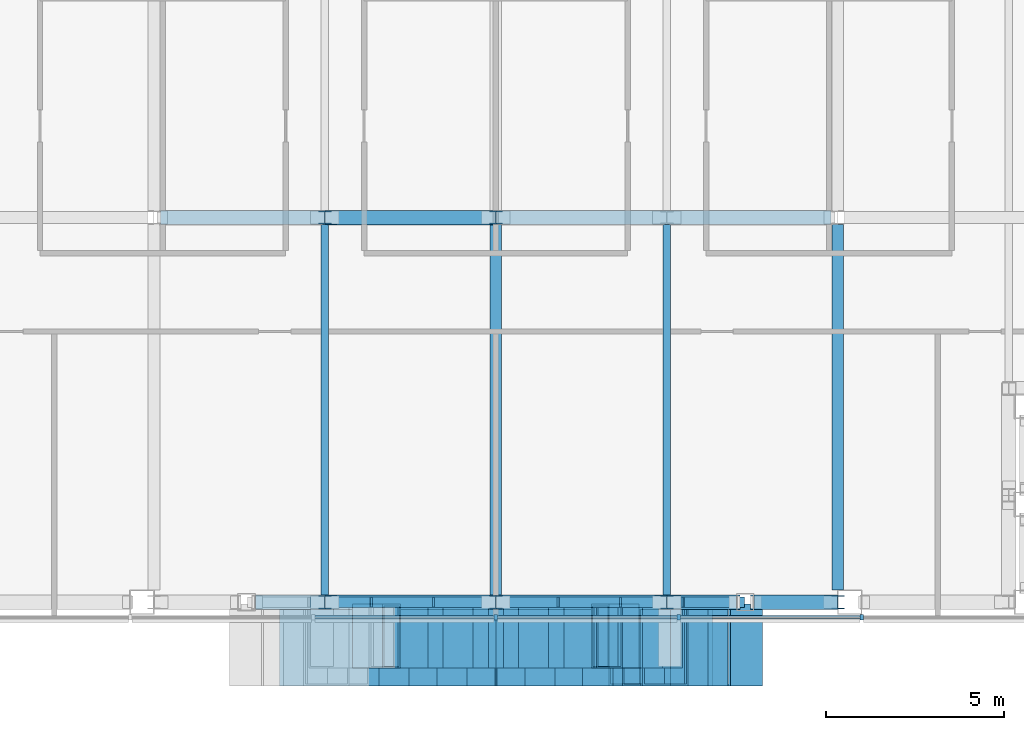
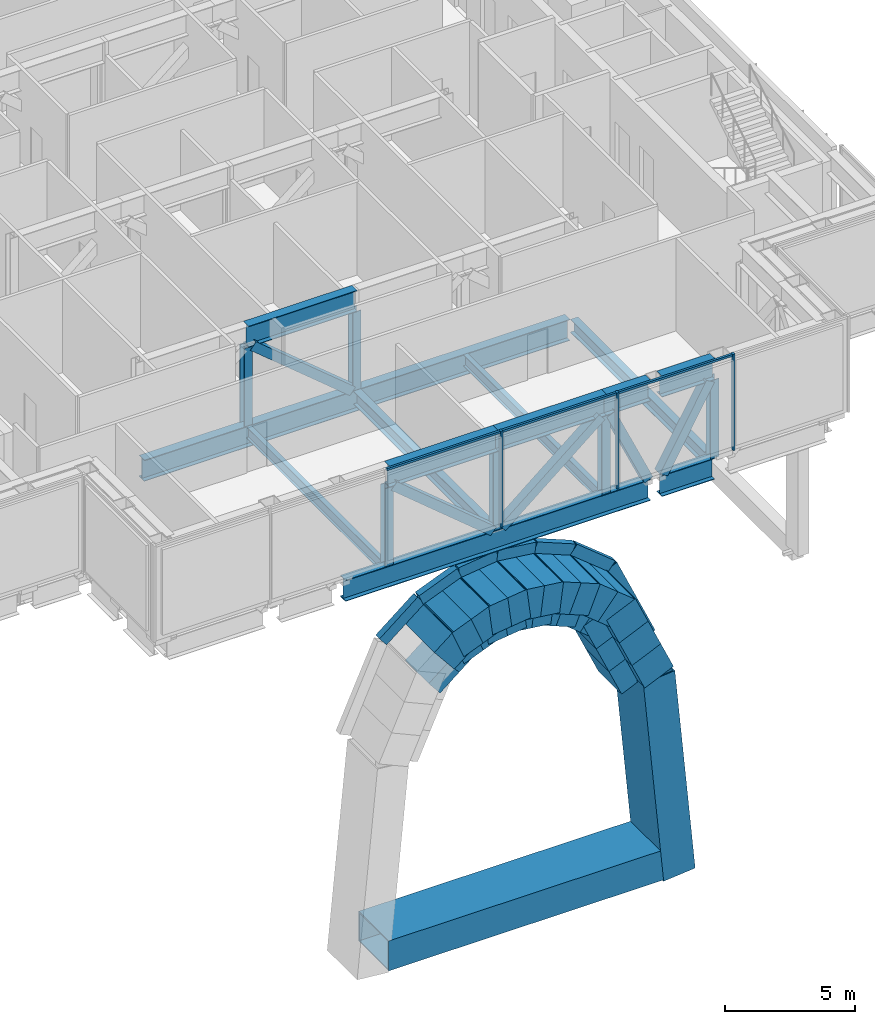
# One storey, part 4 of 26: 56 members, 11 beams, 1 element without a shape of its own.
"""IFC4 building model written with IfcOpenShell, lengths in metres."""

import ifcopenshell
import ifcopenshell.guid

model = None  # the IFC model being written
_history = None  # IfcOwnerHistory: only IFC2X3 demands one
_inside = {}  # id of a spatial element -> (the spatial element, [elements in it])
_under = {}  # id of a project, library or spatial element -> (it, [spatial elements below it])
_declared = {}  # id of a project -> (the project, [libraries it declares])
_typed = {}  # id of a type object -> (the type object, [elements of that type])
_made_of = {}  # id of a material, layer set ... -> (it, [elements and type objects made of it])


def new_model(schema):
    """Start an empty IFC model of exactly this schema.

    Asked for "IFC4X3", IfcOpenShell would pick the latest addendum, in which some entities
    have other attributes; the version numbers below select the first issue.
    IFC2X3 requires an IfcOwnerHistory on every rooted entity: one is made here for all.
    """
    global model, _history
    if schema == "IFC4X3":
        model = ifcopenshell.file(schema_version=(4, 3, 0, 0))
    else:
        model = ifcopenshell.file(schema=schema)
    _inside.clear()
    _under.clear()
    _declared.clear()
    _typed.clear()
    _made_of.clear()
    _history = None
    if model.schema == "IFC2X3":
        org = make("IfcOrganization", Name="unknown")
        user = make(
            "IfcPersonAndOrganization",
            ThePerson=make("IfcPerson", FamilyName="unknown"),
            TheOrganization=org,
        )
        app = make(
            "IfcApplication",
            ApplicationDeveloper=org,
            Version="unknown",
            ApplicationFullName="unknown",
            ApplicationIdentifier="unknown",
        )
        _history = make(
            "IfcOwnerHistory",
            OwningUser=user,
            OwningApplication=app,
            ChangeAction="ADDED",
            CreationDate=0,
        )
    return model


def make(cls, **values):
    """One entity of the class cls with the attributes given. An attribute that is None is left unset."""
    return model.create_entity(
        cls, **{name: value for name, value in values.items() if value is not None}
    )


def rooted(cls, **values):
    """An entity with a GlobalId (a new one), such as an element, a storey or a relation."""
    return make(cls, GlobalId=ifcopenshell.guid.new(), OwnerHistory=_history, **values)


def si_unit(unit_type, name, prefix=None):
    """IfcSIUnit, for example si_unit("LENGTHUNIT", "METRE", prefix="MILLI")."""
    return make("IfcSIUnit", UnitType=unit_type, Prefix=prefix, Name=name)


def assignment(units):
    """IfcUnitAssignment: the units of a project."""
    return None if units is None else make("IfcUnitAssignment", Units=units)


def point(xyz):
    """IfcCartesianPoint."""
    return None if xyz is None else make("IfcCartesianPoint", Coordinates=xyz)


def direction(xyz):
    """IfcDirection."""
    return None if xyz is None else make("IfcDirection", DirectionRatios=xyz)


def frame(location, z_axis=None, x_axis=None):
    """IfcAxis2Placement3D, a coordinate frame: its origin and axes. An axis left out is left unset."""
    return make(
        "IfcAxis2Placement3D",
        Location=point(location),
        Axis=direction(z_axis),
        RefDirection=direction(x_axis),
    )


def frame_2d(location, x_axis=None):
    """IfcAxis2Placement2D, a coordinate frame in the plane: its origin and x axis."""
    return make(
        "IfcAxis2Placement2D", Location=point(location), RefDirection=direction(x_axis)
    )


def origin():
    """The frame at (0, 0, 0) with its axes left unset."""
    return frame((0.0, 0.0, 0.0))


def origin_2d():
    """The frame at (0, 0) in the plane with its x axis left unset."""
    return frame_2d((0.0, 0.0))


def place(relative_to, where):
    """IfcLocalPlacement: puts the frame where relative to a parent placement (None: the world)."""
    return make(
        "IfcLocalPlacement", PlacementRelTo=relative_to, RelativePlacement=where
    )


def context(
    kind, dimensions, precision=None, world=None, true_north=None, identifier=None
):
    """IfcGeometricRepresentationContext, for example the 3D "Model" context."""
    return make(
        "IfcGeometricRepresentationContext",
        ContextIdentifier=identifier,
        ContextType=kind,
        CoordinateSpaceDimension=dimensions,
        Precision=precision,
        WorldCoordinateSystem=world,
        TrueNorth=true_north,
    )


def subcontext(parent, identifier, kind, view, scale=None):
    """IfcGeometricRepresentationSubContext, for example "Body" below "Model"."""
    return make(
        "IfcGeometricRepresentationSubContext",
        ContextIdentifier=identifier,
        ContextType=kind,
        ParentContext=parent,
        TargetScale=scale,
        TargetView=view,
    )


def project(units=None, contexts=None):
    """IfcProject with its units and contexts."""
    return rooted(
        "IfcProject",
        Name="project",
        RepresentationContexts=contexts,
        UnitsInContext=assignment(units),
    )


def spatial(cls, under=None, at=None, **own):
    """A site, building, storey or space (cls), placed at a placement, below another one or the project."""
    s = rooted(cls, ObjectPlacement=at, **own)
    if under is not None:
        _under.setdefault(under.id(), (under, []))[1].append(s)
    return s


def profile(cls, at=None, kind="AREA", **sizes):
    """A parametric profile (cls). Its sizes go by their IFC names, for example OverallWidth=200.0."""
    return make(cls, ProfileType=kind, Position=at, **sizes)


def rectangle(**sizes):
    """IfcRectangleProfileDef."""
    return profile("IfcRectangleProfileDef", **sizes)


def hollow_rectangle(**sizes):
    """IfcRectangleHollowProfileDef."""
    return profile("IfcRectangleHollowProfileDef", **sizes)


def i_section(**sizes):
    """IfcIShapeProfileDef."""
    return profile("IfcIShapeProfileDef", **sizes)


def extrude(swept, where, along, depth):
    """IfcExtrudedAreaSolid: the profile swept, set in the frame where, extruded along a direction by depth."""
    return make(
        "IfcExtrudedAreaSolid",
        SweptArea=swept,
        Position=where,
        ExtrudedDirection=direction(along),
        Depth=depth,
    )


def shape(context_of_items, identifier, shape_type, items):
    """IfcShapeRepresentation: the items that make up one representation, for example the "Body"."""
    return make(
        "IfcShapeRepresentation",
        ContextOfItems=context_of_items,
        RepresentationIdentifier=identifier,
        RepresentationType=shape_type,
        Items=items,
    )


def material(Name=None, Category=None):
    """IfcMaterial."""
    return make("IfcMaterial", Name=Name, Category=Category)


def material_profile(
    of_material, cross_section, Name=None, Category=None, Priority=None
):
    """IfcMaterialProfile: a cross section and its material."""
    return make(
        "IfcMaterialProfile",
        Name=Name,
        Material=of_material,
        Profile=cross_section,
        Priority=Priority,
        Category=Category,
    )


def profile_set(profiles, Name=None, composite=None):
    """IfcMaterialProfileSet."""
    return make(
        "IfcMaterialProfileSet",
        Name=Name,
        MaterialProfiles=profiles,
        CompositeProfile=composite,
    )


def made_of(thing, what):
    """Note that an element or type object is made of a material, layer set ...; save() writes the relation."""
    if what is not None:
        _made_of.setdefault(what.id(), (what, []))[1].append(thing)
    return thing


def type_object(cls, material=None, **own):
    """A type object (cls), such as IfcWallType, which elements share."""
    return made_of(rooted(cls, **own), material)


def element(
    cls,
    number,
    at=None,
    inside=None,
    cuts=None,
    type_object=None,
    material=None,
    context=None,
    identifier="Body",
    shape_type=None,
    held_by="IfcProductDefinitionShape",
    body=None,
    shapes=None,
    **own,
):
    """One element of the class cls, such as IfcWall. Its Tag is "e" and its number.

    at: its placement. inside: the storey or other place that contains it. cuts: it is an
    opening in that element (IfcRelVoidsElement). A single representation is given by context,
    identifier, shape_type and body (its items); several are given by shapes. held_by: the class
    of the entity that holds the representations. save() writes the other relations.
    """
    e = rooted(cls, Tag="e%d" % number, ObjectPlacement=at, **own)
    if body is not None:
        shapes = [shape(context, identifier, shape_type, body)]
    if shapes is not None:
        e.Representation = make(held_by, Representations=shapes)
    if inside is not None:
        _inside.setdefault(inside.id(), (inside, []))[1].append(e)
    if cuts is not None:
        rooted(
            "IfcRelVoidsElement", RelatingBuildingElement=cuts, RelatedOpeningElement=e
        )
    if type_object is not None:
        _typed.setdefault(type_object.id(), (type_object, []))[1].append(e)
    return made_of(e, material)


def aggregate(whole, parts):
    """IfcRelAggregates: a whole, such as a stair, and the parts it consists of."""
    return rooted("IfcRelAggregates", RelatingObject=whole, RelatedObjects=parts)


def save(model, path):
    """Write the relations noted so far, then the file.

    IfcRelAggregates (storeys below a building ...), IfcRelContainedInSpatialStructure (elements
    in a storey), IfcRelDefinesByType, IfcRelAssociatesMaterial and IfcRelDeclares: one each for
    every whole, place, type object, material and project.
    """
    for whole, parts in _under.values():
        aggregate(whole, parts)
    for where, things in _inside.values():
        rooted(
            "IfcRelContainedInSpatialStructure",
            RelatedElements=things,
            RelatingStructure=where,
        )
    for kind, things in _typed.values():
        rooted("IfcRelDefinesByType", RelatedObjects=things, RelatingType=kind)
    for what, things in _made_of.values():
        rooted("IfcRelAssociatesMaterial", RelatedObjects=things, RelatingMaterial=what)
    for by, libraries in _declared.values():
        rooted("IfcRelDeclares", RelatingContext=by, RelatedDefinitions=libraries)
    model.write(path)


model = new_model("IFC4")

# Units and contexts
model_context = context("Model", 3, precision=1e-05, world=origin(), true_north=direction((0.0, 1.0)))
body_context = subcontext(model_context, "Body", "Model", "MODEL_VIEW")
ifc_project = project(units=[si_unit("LENGTHUNIT", "METRE"), si_unit("AREAUNIT", "SQUARE_METRE"), si_unit("VOLUMEUNIT", "CUBIC_METRE"), si_unit("PLANEANGLEUNIT", "RADIAN"), si_unit("MASSUNIT", "GRAM", prefix="KILO")], contexts=[model_context])

# Site, building, storey
site_placement = place(None, origin())
site = spatial("IfcSite", under=ifc_project, at=site_placement, CompositionType="ELEMENT")
building_placement = place(site_placement, origin())
building = spatial("IfcBuilding", under=site, at=building_placement, Name="Cobrizo Arcos Hotel Tower", CompositionType="ELEMENT")
storey_placement = place(building_placement, frame((0.0, 0.0, 236.5)))
storey = spatial("IfcBuildingStorey", under=building, at=storey_placement, Name="L62", CompositionType="ELEMENT", Elevation=236.5)

# Beams
ifc_material_1 = material(Name="Steel ASTM A572 Grade 50", Category="steel")
ifc_material_profile_1 = material_profile(ifc_material_1, hollow_rectangle(XDim=0.300048828125, YDim=0.5, WallThickness=0.02001953125, at=origin_2d()), Name="BOX 300X500X20")
ifc_profile_set_1 = profile_set([ifc_material_profile_1], Name="Steel ASTM A572 Grade 50")
beam_type_1 = type_object("IfcBeamType", Name="BOX 300X500X20 arch rib", PredefinedType="BEAM", material=ifc_profile_set_1)
beam_1_placement = place(storey_placement, frame((-5.061279296875, -20.39990234375, -3.802490234375), z_axis=(0.777399424026, 0.0, 0.6290072619), x_axis=(0.0, 1.0, 0.0)))
element("IfcBeam", 1, at=beam_1_placement, inside=storey, type_object=beam_type_1, Name="Arch rib AR1, arch C, south face, no. 02", PredefinedType="BEAM", context=body_context, shape_type="SweptSolid", body=[
    extrude(hollow_rectangle(XDim=0.300048828125, YDim=0.5, WallThickness=0.02001953125, at=origin_2d()), origin(), (0.0, 0.0, 1.0), 2.170166015625),
])
beam_2_placement = place(storey_placement, frame((-3.374267578125, -20.39990234375, -2.4375), z_axis=(0.926634507645, 0.0, 0.375963414764), x_axis=(0.0, 1.0, 0.0)))
element("IfcBeam", 2, at=beam_2_placement, inside=storey, type_object=beam_type_1, Name="Arch rib AR1, arch C, south face, no. 03", PredefinedType="BEAM", context=body_context, shape_type="SweptSolid", body=[
    extrude(hollow_rectangle(XDim=0.300048828125, YDim=0.5, WallThickness=0.02001953125, at=origin_2d()), origin(), (0.0, 0.0, 1.0), 1.82080078125),
])
for number, where, z_axis, x_axis, name in (
    (3, (-1.68701171875, -20.39990234375, -1.7529296875), (0.992131403305, 0.0, 0.125200952776), (0.0, 1.0, 0.0), "Arch rib AR1, arch C, south face, no. 04"),
    (4, (0.0, -20.39990234375, -1.5400390625), (0.992131403305, 0.0, -0.125200952776), (0.0, 1.0, 0.0), "Arch rib AR1, arch C, south face, no. 05"),
):
    element("IfcBeam", number, at=place(storey_placement, frame(where, z_axis=z_axis, x_axis=x_axis)), inside=storey, type_object=beam_type_1, Name=name, PredefinedType="BEAM", context=body_context, shape_type="SweptSolid", body=[
        extrude(hollow_rectangle(XDim=0.300048828125, YDim=0.5, WallThickness=0.02001953125, at=origin_2d()), origin(), (0.0, 0.0, 1.0), 1.700439453125),
    ])
beam_3_placement = place(storey_placement, frame((1.68701171875, -20.39990234375, -1.7529296875), z_axis=(0.926634507645, 0.0, -0.375963414764), x_axis=(0.0, 1.0, 0.0)))
element("IfcBeam", 5, at=beam_3_placement, inside=storey, type_object=beam_type_1, Name="Arch rib AR1, arch C, south face, no. 06", PredefinedType="BEAM", context=body_context, shape_type="SweptSolid", body=[
    extrude(hollow_rectangle(XDim=0.300048828125, YDim=0.5, WallThickness=0.02001953125, at=origin_2d()), origin(), (0.0, 0.0, 1.0), 1.82080078125),
])
beam_4_placement = place(storey_placement, frame((3.374267578125, -20.39990234375, -2.4375), z_axis=(0.777399424026, 0.0, -0.6290072619), x_axis=(0.0, 1.0, 0.0)))
element("IfcBeam", 6, at=beam_4_placement, inside=storey, type_object=beam_type_1, Name="Arch rib AR1, arch C, south face, no. 07", PredefinedType="BEAM", context=body_context, shape_type="SweptSolid", body=[
    extrude(hollow_rectangle(XDim=0.300048828125, YDim=0.5, WallThickness=0.02001953125, at=origin_2d()), origin(), (0.0, 0.0, 1.0), 2.170166015625),
])
beam_5_placement = place(storey_placement, frame((5.061279296875, -20.39990234375, -3.802490234375), z_axis=(0.409445476845, 0.0, -0.912334588565), x_axis=(0.0, 1.0, 0.0)))
element("IfcBeam", 7, at=beam_5_placement, inside=storey, type_object=beam_type_1, Name="Arch rib AR1, arch C, south face, no. 08", PredefinedType="BEAM", context=body_context, shape_type="SweptSolid", body=[
    extrude(hollow_rectangle(XDim=0.300048828125, YDim=0.5, WallThickness=0.02001953125, at=origin_2d()), origin(), (0.0, 0.0, 1.0), 4.1201171875),
])

# Curtain wall, members
ifc_material_2 = material(Name="Aluminium 6063-T6 anodised bronze", Category="aluminium")
curtain_wall_type = type_object("IfcCurtainWallType", Name="CW-D plant louvre wall", PredefinedType="NOTDEFINED", material=ifc_material_2)
curtain_wall_placement = place(storey_placement, origin())
curtain_wall = element("IfcCurtainWall", 8, at=curtain_wall_placement, inside=storey, type_object=curtain_wall_type, Name="CW-D L62 S face", PredefinedType="NOTDEFINED")
ifc_material_profile_2 = material_profile(ifc_material_2, rectangle(XDim=0.14990234375, YDim=0.10009765625, at=origin_2d()), Name="CW-D mullion 150x100")
ifc_profile_set_2 = profile_set([ifc_material_profile_2], Name="Aluminium 6063-T6 anodised bronze")
member_type_1 = type_object("IfcMemberType", Name="CW-D mullion 150x100", PredefinedType="MULLION", material=ifc_profile_set_2)
member_1_placement = place(storey_placement, frame((0.0, -20.824951171875, 0.0), z_axis=(0.0, 0.0, 1.0), x_axis=(0.0, -1.0, 0.0)))
member_1 = element("IfcMember", 9, at=member_1_placement, type_object=member_type_1, Name="CW-D mullion 4", PredefinedType="MULLION", context=body_context, shape_type="SweptSolid", body=[
    extrude(rectangle(XDim=0.14990234375, YDim=0.10009765625, at=origin_2d()), origin(), (0.0, 0.0, 1.0), 4.5),
])
member_2_placement = place(storey_placement, frame((5.13330078125, -20.824951171875, 0.0), z_axis=(0.0, 0.0, 1.0), x_axis=(0.0, -1.0, 0.0)))
member_2 = element("IfcMember", 10, at=member_2_placement, type_object=member_type_1, Name="CW-D mullion 5", PredefinedType="MULLION", context=body_context, shape_type="SweptSolid", body=[
    extrude(rectangle(XDim=0.14990234375, YDim=0.10009765625, at=origin_2d()), origin(), (0.0, 0.0, 1.0), 4.5),
])
member_3_placement = place(storey_placement, frame((10.2666015625, -20.824951171875, 0.0), z_axis=(0.0, 0.0, 1.0), x_axis=(0.0, -1.0, 0.0)))
member_3 = element("IfcMember", 11, at=member_3_placement, type_object=member_type_1, Name="CW-D mullion 6", PredefinedType="MULLION", context=body_context, shape_type="SweptSolid", body=[
    extrude(rectangle(XDim=0.14990234375, YDim=0.10009765625, at=origin_2d()), origin(), (0.0, 0.0, 1.0), 4.5),
])
ifc_material_profile_3 = material_profile(ifc_material_2, rectangle(XDim=0.10009765625, YDim=0.10009765625, at=origin_2d()), Name="CW-D transom 100x100")
ifc_profile_set_3 = profile_set([ifc_material_profile_3], Name="Aluminium 6063-T6 anodised bronze")
member_type_2 = type_object("IfcMemberType", Name="CW-D transom 100x100", PredefinedType="USERDEFINED", material=ifc_profile_set_3)
member_4_placement = place(storey_placement, frame((-5.083251953125, -20.824951171875, 4.449951171875), z_axis=(1.0, 0.0, 0.0), x_axis=(0.0, 1.0, 0.0)))
member_4 = element("IfcMember", 12, at=member_4_placement, type_object=member_type_2, Name="CW-D transom 1990", ObjectType="TRANSOM", PredefinedType="USERDEFINED", context=body_context, shape_type="SweptSolid", body=[
    extrude(rectangle(XDim=0.10009765625, YDim=0.10009765625, at=origin_2d()), origin(), (0.0, 0.0, 1.0), 5.033203125),
])
member_5_placement = place(storey_placement, frame((0.050048828125, -20.824951171875, 4.449951171875), z_axis=(1.0, 0.0, 0.0), x_axis=(0.0, 1.0, 0.0)))
member_5 = element("IfcMember", 13, at=member_5_placement, type_object=member_type_2, Name="CW-D transom 1991", ObjectType="TRANSOM", PredefinedType="USERDEFINED", context=body_context, shape_type="SweptSolid", body=[
    extrude(rectangle(XDim=0.10009765625, YDim=0.10009765625, at=origin_2d()), origin(), (0.0, 0.0, 1.0), 5.033203125),
])
member_6_placement = place(storey_placement, frame((5.183349609375, -20.824951171875, 4.449951171875), z_axis=(1.0, 0.0, 0.0), x_axis=(0.0, 1.0, 0.0)))
member_6 = element("IfcMember", 14, at=member_6_placement, type_object=member_type_2, Name="CW-D transom 1992", ObjectType="TRANSOM", PredefinedType="USERDEFINED", context=body_context, shape_type="SweptSolid", body=[
    extrude(rectangle(XDim=0.10009765625, YDim=0.10009765625, at=origin_2d()), origin(), (0.0, 0.0, 1.0), 5.033203125),
])
aggregate(curtain_wall, [member_1, member_2, member_3, member_4, member_5, member_6])

# Members
ifc_material_3 = material(Name="Steel ASTM A500 Grade C", Category="steel")
ifc_material_profile_4 = material_profile(ifc_material_3, hollow_rectangle(XDim=0.406494140625, YDim=0.406494140625, WallThickness=0.014892578125, at=origin_2d()), Name="HSS16X16X5/8")
ifc_profile_set_4 = profile_set([ifc_material_profile_4], Name="Steel ASTM A500 Grade C")
member_type_3 = type_object("IfcMemberType", Name="HSS16X16X5/8 truss diagonal", PredefinedType="BRACE", material=ifc_profile_set_4)
for number, where, z_axis, x_axis, name in (
    (15, (-4.60009765625, -20.39990234375, 3.359375), (0.768853804664, 0.0, -0.639424606231), (0.0, 1.0, 0.0), "Belt truss diagonal TD1, L62, no. 004"),
    (16, (0.199951171875, -20.39990234375, -0.300048828125), (0.768853804664, 0.0, 0.639424606231), (0.0, 1.0, 0.0), "Belt truss diagonal TD1, L62, no. 005"),
):
    element("IfcMember", number, at=place(storey_placement, frame(where, z_axis=z_axis, x_axis=x_axis)), inside=storey, type_object=member_type_3, Name=name, PredefinedType="BRACE", context=body_context, shape_type="SweptSolid", body=[
        extrude(hollow_rectangle(XDim=0.406494140625, YDim=0.406494140625, WallThickness=0.014892578125, at=origin_2d()), origin(), (0.0, 0.0, 1.0), 5.722900390625),
    ])
member_7_placement = place(storey_placement, frame((5.0, -20.39990234375, 3.359375), z_axis=(0.415151491218, 0.0, -0.909752295595), x_axis=(0.0, 1.0, 0.0)))
element("IfcMember", 17, at=member_7_placement, inside=storey, type_object=member_type_3, Name="Belt truss diagonal TD1, L62, no. 006", PredefinedType="BRACE", context=body_context, shape_type="SweptSolid", body=[
    extrude(hollow_rectangle(XDim=0.406494140625, YDim=0.406494140625, WallThickness=0.014892578125, at=origin_2d()), origin(), (0.0, 0.0, 1.0), 4.0224609375),
])
member_8_placement = place(storey_placement, frame((7.330078125, -20.39990234375, -0.300048828125), z_axis=(0.492319382331, 0.0, 0.870414628658), x_axis=(0.0, 1.0, 0.0)))
element("IfcMember", 18, at=member_8_placement, inside=storey, type_object=member_type_3, Name="Belt truss diagonal TD1, L62, no. 007", PredefinedType="BRACE", context=body_context, shape_type="SweptSolid", body=[
    extrude(hollow_rectangle(XDim=0.406494140625, YDim=0.406494140625, WallThickness=0.014892578125, at=origin_2d()), origin(), (0.0, 0.0, 1.0), 4.204345703125),
])
member_9_placement = place(storey_placement, frame((-4.60009765625, -9.60009765625, 3.359375), z_axis=(0.768853804664, 0.0, -0.639424606231), x_axis=(0.0, 1.0, 0.0)))
element("IfcMember", 19, at=member_9_placement, inside=storey, type_object=member_type_3, Name="Outrigger diagonal TD1, L62, no. 006", PredefinedType="BRACE", context=body_context, shape_type="SweptSolid", body=[
    extrude(hollow_rectangle(XDim=0.406494140625, YDim=0.406494140625, WallThickness=0.014892578125, at=origin_2d()), origin(), (0.0, 0.0, 1.0), 5.722900390625),
])
ifc_material_4 = material(Name="Steel ASTM A572 Grade 50 verdigris painted", Category="steel")
ifc_material_profile_5 = material_profile(ifc_material_4, hollow_rectangle(XDim=2.300048828125, YDim=1.39990234375, WallThickness=0.050048828125, at=origin_2d()), Name="PF-1 portal frame box 2300x1400x50")
ifc_profile_set_5 = profile_set([ifc_material_profile_5], Name="Steel ASTM A572 Grade 50 verdigris painted")
member_type_4 = type_object("IfcMemberType", Name="PF-1 portal frame box 2300x1400x50", PredefinedType="USERDEFINED", material=ifc_profile_set_5)
member_10_placement = place(storey_placement, frame((-3.6201171875, -21.60009765625, -3.8583984375), z_axis=(0.777344411856, 0.0, 0.62907524618), x_axis=(0.0, 1.0, 0.0)))
element("IfcMember", 20, at=member_10_placement, inside=storey, type_object=member_type_4, Name="C ring frame lintel S5", ObjectType="PORTAL FRAME", PredefinedType="USERDEFINED", context=body_context, shape_type="SweptSolid", body=[
    extrude(hollow_rectangle(XDim=2.300048828125, YDim=1.39990234375, WallThickness=0.050048828125, at=origin_2d()), origin(), (0.0, 0.0, 1.0), 1.085205078125),
])
member_11_placement = place(storey_placement, frame((-3.01708984375, -21.60009765625, -3.317626953125), z_axis=(0.92670897659, 0.0, 0.375779819451), x_axis=(0.0, 1.0, 0.0)))
element("IfcMember", 21, at=member_11_placement, inside=storey, type_object=member_type_4, Name="C ring frame lintel S6", ObjectType="PORTAL FRAME", PredefinedType="USERDEFINED", context=body_context, shape_type="SweptSolid", body=[
    extrude(hollow_rectangle(XDim=2.300048828125, YDim=1.39990234375, WallThickness=0.050048828125, at=origin_2d()), origin(), (0.0, 0.0, 1.0), 0.91015625),
])
member_12_placement = place(storey_placement, frame((-2.173583984375, -21.60009765625, -2.9755859375), z_axis=(0.926653456275, 0.0, 0.375916708825), x_axis=(0.0, 1.0, 0.0)))
element("IfcMember", 22, at=member_12_placement, inside=storey, type_object=member_type_4, Name="C ring frame lintel S7", ObjectType="PORTAL FRAME", PredefinedType="USERDEFINED", context=body_context, shape_type="SweptSolid", body=[
    extrude(hollow_rectangle(XDim=2.300048828125, YDim=1.39990234375, WallThickness=0.050048828125, at=origin_2d()), origin(), (0.0, 0.0, 1.0), 0.91064453125),
])
member_13_placement = place(storey_placement, frame((-1.568115234375, -21.60009765625, -2.6953125), z_axis=(0.992167033897, 0.0, 0.124918280679), x_axis=(0.0, 1.0, 0.0)))
element("IfcMember", 23, at=member_13_placement, inside=storey, type_object=member_type_4, Name="C ring frame lintel S8", ObjectType="PORTAL FRAME", PredefinedType="USERDEFINED", context=body_context, shape_type="SweptSolid", body=[
    extrude(hollow_rectangle(XDim=2.300048828125, YDim=1.39990234375, WallThickness=0.050048828125, at=origin_2d()), origin(), (0.0, 0.0, 1.0), 0.85009765625),
])
for number, where, z_axis, x_axis, name in (
    (24, (-0.724609375, -21.60009765625, -2.589111328125), (0.992095694749, 0.0, 0.125483594387), (0.0, 1.0, 0.0), "C ring frame lintel S9"),
    (25, (-0.118896484375, -21.60009765625, -2.482421875), (0.992095694749, 0.0, -0.125483594387), (0.0, 1.0, 0.0), "C ring frame lintel S10"),
):
    element("IfcMember", number, at=place(storey_placement, frame(where, z_axis=z_axis, x_axis=x_axis)), inside=storey, type_object=member_type_4, Name=name, ObjectType="PORTAL FRAME", PredefinedType="USERDEFINED", context=body_context, shape_type="SweptSolid", body=[
        extrude(hollow_rectangle(XDim=2.300048828125, YDim=1.39990234375, WallThickness=0.050048828125, at=origin_2d()), origin(), (0.0, 0.0, 1.0), 0.850341796875),
    ])
member_14_placement = place(storey_placement, frame((0.724609375, -21.60009765625, -2.589111328125), z_axis=(0.992167033897, 0.0, -0.124918280679), x_axis=(0.0, 1.0, 0.0)))
element("IfcMember", 26, at=member_14_placement, inside=storey, type_object=member_type_4, Name="C ring frame lintel S11", ObjectType="PORTAL FRAME", PredefinedType="USERDEFINED", context=body_context, shape_type="SweptSolid", body=[
    extrude(hollow_rectangle(XDim=2.300048828125, YDim=1.39990234375, WallThickness=0.050048828125, at=origin_2d()), origin(), (0.0, 0.0, 1.0), 0.85009765625),
])
member_15_placement = place(storey_placement, frame((1.329833984375, -21.60009765625, -2.63330078125), z_axis=(0.926653456275, 0.0, -0.375916708825), x_axis=(0.0, 1.0, 0.0)))
element("IfcMember", 27, at=member_15_placement, inside=storey, type_object=member_type_4, Name="C ring frame lintel S12", ObjectType="PORTAL FRAME", PredefinedType="USERDEFINED", context=body_context, shape_type="SweptSolid", body=[
    extrude(hollow_rectangle(XDim=2.300048828125, YDim=1.39990234375, WallThickness=0.050048828125, at=origin_2d()), origin(), (0.0, 0.0, 1.0), 0.91064453125),
])
member_16_placement = place(storey_placement, frame((2.173583984375, -21.60009765625, -2.9755859375), z_axis=(0.92670897659, 0.0, -0.375779819451), x_axis=(0.0, 1.0, 0.0)))
element("IfcMember", 28, at=member_16_placement, inside=storey, type_object=member_type_4, Name="C ring frame lintel S13", ObjectType="PORTAL FRAME", PredefinedType="USERDEFINED", context=body_context, shape_type="SweptSolid", body=[
    extrude(hollow_rectangle(XDim=2.300048828125, YDim=1.39990234375, WallThickness=0.050048828125, at=origin_2d()), origin(), (0.0, 0.0, 1.0), 0.91015625),
])
for number, where, z_axis, x_axis, name in (
    (29, (2.776611328125, -21.60009765625, -3.17578125), (0.777344411856, 0.0, -0.62907524618), (0.0, 1.0, 0.0), "C ring frame lintel S14"),
    (30, (3.6201171875, -21.60009765625, -3.8583984375), (0.777344411856, 0.0, -0.62907524618), (0.0, 1.0, 0.0), "C ring frame lintel S15"),
):
    element("IfcMember", number, at=place(storey_placement, frame(where, z_axis=z_axis, x_axis=x_axis)), inside=storey, type_object=member_type_4, Name=name, ObjectType="PORTAL FRAME", PredefinedType="USERDEFINED", context=body_context, shape_type="SweptSolid", body=[
        extrude(hollow_rectangle(XDim=2.300048828125, YDim=1.39990234375, WallThickness=0.050048828125, at=origin_2d()), origin(), (0.0, 0.0, 1.0), 1.085205078125),
    ])
for number, where, z_axis, x_axis, name in (
    (31, (4.194580078125, -21.60009765625, -4.191650390625), (0.409566249087, 0.0, -0.91228037774), (0.0, 1.0, 0.0), "C ring frame lintel S16"),
    (32, (4.757080078125, -21.60009765625, -5.444580078125), (0.409418288591, 0.0, -0.91234678986), (0.0, 1.0, 0.0), "C ring frame lintel S17"),
):
    element("IfcMember", number, at=place(storey_placement, frame(where, z_axis=z_axis, x_axis=x_axis)), inside=storey, type_object=member_type_4, Name=name, ObjectType="PORTAL FRAME", PredefinedType="USERDEFINED", context=body_context, shape_type="SweptSolid", body=[
        extrude(hollow_rectangle(XDim=2.300048828125, YDim=1.39990234375, WallThickness=0.050048828125, at=origin_2d()), origin(), (0.0, 0.0, 1.0), 1.373291015625),
    ])
member_17_placement = place(storey_placement, frame((5.3193359375, -21.60009765625, -6.697509765625), z_axis=(0.40935189332, 0.0, -0.912376582029), x_axis=(0.0, 1.0, 0.0)))
element("IfcMember", 33, at=member_17_placement, inside=storey, type_object=member_type_4, Name="C ring frame lintel S18", ObjectType="PORTAL FRAME", PredefinedType="USERDEFINED", context=body_context, shape_type="SweptSolid", body=[
    extrude(hollow_rectangle(XDim=2.300048828125, YDim=1.39990234375, WallThickness=0.050048828125, at=origin_2d()), origin(), (0.0, 0.0, 1.0), 1.37353515625),
])
member_18_placement = place(storey_placement, frame((6.78173828125, -21.60009765625, -17.5), z_axis=(-0.093846907553, 0.0, 0.995586640099), x_axis=(0.0, -1.0, 0.0)))
element("IfcMember", 34, at=member_18_placement, inside=storey, type_object=member_type_4, Name="C ring frame post SE", ObjectType="PORTAL FRAME", PredefinedType="USERDEFINED", context=body_context, shape_type="SweptSolid", body=[
    extrude(hollow_rectangle(XDim=2.300048828125, YDim=1.39990234375, WallThickness=0.050048828125, at=origin_2d()), origin(), (0.0, 0.0, 1.0), 9.591552734375),
])
member_19_placement = place(storey_placement, frame((-6.081787109375, -21.60009765625, -16.800048828125), z_axis=(1.0, 0.0, 0.0), x_axis=(0.0, 1.0, 0.0)))
element("IfcMember", 35, at=member_19_placement, inside=storey, type_object=member_type_4, Name="C ring frame sill beam S", ObjectType="PORTAL FRAME", PredefinedType="USERDEFINED", context=body_context, shape_type="SweptSolid", body=[
    extrude(hollow_rectangle(XDim=2.300048828125, YDim=1.39990234375, WallThickness=0.050048828125, at=origin_2d()), origin(), (0.0, 0.0, 1.0), 12.16357421875),
])
ifc_material_profile_6 = material_profile(ifc_material_4, hollow_rectangle(XDim=1.800048828125, YDim=0.800048828125, WallThickness=0.050048828125, at=origin_2d()), Name="PF-3 portal outer ring box 1800x800x50")
ifc_profile_set_6 = profile_set([ifc_material_profile_6], Name="Steel ASTM A572 Grade 50 verdigris painted")
member_type_5 = type_object("IfcMemberType", Name="PF-3 portal outer ring box 1800x800x50", PredefinedType="USERDEFINED", material=ifc_profile_set_6)
for number, where, z_axis, x_axis, name in (
    (36, (-3.771728515625, -21.35009765625, -5.396240234375), (0.777344411856, 0.0, 0.62907524618), (0.0, 1.0, 0.0), "C ring frame lintel S24"),
    (37, (-2.92822265625, -21.35009765625, -4.713623046875), (0.777344411856, 0.0, 0.62907524618), (0.0, 1.0, 0.0), "C ring frame lintel S25"),
):
    element("IfcMember", number, at=place(storey_placement, frame(where, z_axis=z_axis, x_axis=x_axis)), inside=storey, type_object=member_type_5, Name=name, ObjectType="PORTAL FRAME", PredefinedType="USERDEFINED", context=body_context, shape_type="SweptSolid", body=[
        extrude(hollow_rectangle(XDim=1.800048828125, YDim=0.800048828125, WallThickness=0.050048828125, at=origin_2d()), origin(), (0.0, 0.0, 1.0), 1.085205078125),
    ])
member_20_placement = place(storey_placement, frame((-2.603515625, -21.35009765625, -4.3369140625), z_axis=(0.92670897659, 0.0, 0.375779819451), x_axis=(0.0, 1.0, 0.0)))
element("IfcMember", 38, at=member_20_placement, inside=storey, type_object=member_type_5, Name="C ring frame lintel S26", ObjectType="PORTAL FRAME", PredefinedType="USERDEFINED", context=body_context, shape_type="SweptSolid", body=[
    extrude(hollow_rectangle(XDim=1.800048828125, YDim=0.800048828125, WallThickness=0.050048828125, at=origin_2d()), origin(), (0.0, 0.0, 1.0), 0.91015625),
])
member_21_placement = place(storey_placement, frame((-1.760009765625, -21.35009765625, -3.994873046875), z_axis=(0.926615551951, 0.0, 0.376010131356), x_axis=(0.0, 1.0, 0.0)))
element("IfcMember", 39, at=member_21_placement, inside=storey, type_object=member_type_5, Name="C ring frame lintel S27", ObjectType="PORTAL FRAME", PredefinedType="USERDEFINED", context=body_context, shape_type="SweptSolid", body=[
    extrude(hollow_rectangle(XDim=1.800048828125, YDim=0.800048828125, WallThickness=0.050048828125, at=origin_2d()), origin(), (0.0, 0.0, 1.0), 0.910400390625),
])
for number, where, z_axis, x_axis, name in (
    (40, (-1.430419921875, -21.35009765625, -3.786865234375), (0.992131403305, 0.0, 0.125200952776), (0.0, 1.0, 0.0), "C ring frame lintel S28"),
    (41, (-0.5869140625, -21.35009765625, -3.680419921875), (0.992131403305, 0.0, 0.125200952776), (0.0, 1.0, 0.0), "C ring frame lintel S29"),
    (42, (-0.256591796875, -21.35009765625, -3.573974609375), (0.992131403305, 0.0, -0.125200952776), (0.0, 1.0, 0.0), "C ring frame lintel S210"),
    (43, (0.5869140625, -21.35009765625, -3.680419921875), (0.992131403305, 0.0, -0.125200952776), (0.0, 1.0, 0.0), "C ring frame lintel S211"),
):
    element("IfcMember", number, at=place(storey_placement, frame(where, z_axis=z_axis, x_axis=x_axis)), inside=storey, type_object=member_type_5, Name=name, ObjectType="PORTAL FRAME", PredefinedType="USERDEFINED", context=body_context, shape_type="SweptSolid", body=[
        extrude(hollow_rectangle(XDim=1.800048828125, YDim=0.800048828125, WallThickness=0.050048828125, at=origin_2d()), origin(), (0.0, 0.0, 1.0), 0.85009765625),
    ])
member_22_placement = place(storey_placement, frame((0.91650390625, -21.35009765625, -3.652587890625), z_axis=(0.926615551951, 0.0, -0.376010131356), x_axis=(0.0, 1.0, 0.0)))
element("IfcMember", 44, at=member_22_placement, inside=storey, type_object=member_type_5, Name="C ring frame lintel S212", ObjectType="PORTAL FRAME", PredefinedType="USERDEFINED", context=body_context, shape_type="SweptSolid", body=[
    extrude(hollow_rectangle(XDim=1.800048828125, YDim=0.800048828125, WallThickness=0.050048828125, at=origin_2d()), origin(), (0.0, 0.0, 1.0), 0.910400390625),
])
member_23_placement = place(storey_placement, frame((1.760009765625, -21.35009765625, -3.994873046875), z_axis=(0.92670897659, 0.0, -0.375779819451), x_axis=(0.0, 1.0, 0.0)))
element("IfcMember", 45, at=member_23_placement, inside=storey, type_object=member_type_5, Name="C ring frame lintel S213", ObjectType="PORTAL FRAME", PredefinedType="USERDEFINED", context=body_context, shape_type="SweptSolid", body=[
    extrude(hollow_rectangle(XDim=1.800048828125, YDim=0.800048828125, WallThickness=0.050048828125, at=origin_2d()), origin(), (0.0, 0.0, 1.0), 0.91015625),
])
for number, where, z_axis, x_axis, name in (
    (46, (2.084716796875, -21.35009765625, -4.031005859375), (0.777344411856, 0.0, -0.62907524618), (0.0, 1.0, 0.0), "C ring frame lintel S214"),
    (47, (2.92822265625, -21.35009765625, -4.713623046875), (0.777344411856, 0.0, -0.62907524618), (0.0, 1.0, 0.0), "C ring frame lintel S215"),
):
    element("IfcMember", number, at=place(storey_placement, frame(where, z_axis=z_axis, x_axis=x_axis)), inside=storey, type_object=member_type_5, Name=name, ObjectType="PORTAL FRAME", PredefinedType="USERDEFINED", context=body_context, shape_type="SweptSolid", body=[
        extrude(hollow_rectangle(XDim=1.800048828125, YDim=0.800048828125, WallThickness=0.050048828125, at=origin_2d()), origin(), (0.0, 0.0, 1.0), 1.085205078125),
    ])
for number, where, z_axis, x_axis, name in (
    (48, (3.19091796875, -21.35009765625, -4.64208984375), (0.409566249087, 0.0, -0.91228037774), (0.0, 1.0, 0.0), "C ring frame lintel S216"),
    (49, (3.75341796875, -21.35009765625, -5.89501953125), (0.409566249087, 0.0, -0.91228037774), (0.0, 1.0, 0.0), "C ring frame lintel S217"),
    (50, (4.31591796875, -21.35009765625, -7.14794921875), (0.409418288591, 0.0, -0.91234678986), (0.0, 1.0, 0.0), "C ring frame lintel S218"),
):
    element("IfcMember", number, at=place(storey_placement, frame(where, z_axis=z_axis, x_axis=x_axis)), inside=storey, type_object=member_type_5, Name=name, ObjectType="PORTAL FRAME", PredefinedType="USERDEFINED", context=body_context, shape_type="SweptSolid", body=[
        extrude(hollow_rectangle(XDim=1.800048828125, YDim=0.800048828125, WallThickness=0.050048828125, at=origin_2d()), origin(), (0.0, 0.0, 1.0), 1.373291015625),
    ])
ifc_material_5 = material(Name="Steel ASTM A992 Grade 50", Category="steel")
ifc_material_profile_7 = material_profile(ifc_material_5, i_section(OverallWidth=0.373291015625, OverallDepth=0.373291015625, WebThickness=0.016357421875, FlangeThickness=0.026123046875, at=origin_2d()), Name="W14X132")
ifc_profile_set_7 = profile_set([ifc_material_profile_7], Name="Steel ASTM A992 Grade 50")
member_type_6 = type_object("IfcMemberType", Name="W14X132 truss post", PredefinedType="POST", material=ifc_profile_set_7)
for number, where, z_axis, x_axis, name in (
    (51, (-4.800048828125, -20.39990234375, -0.300048828125), (0.0, 0.0, 1.0), (1.0, 0.0, 0.0), "Truss post TP1, L62, no. 003"),
    (52, (0.0, -20.39990234375, -0.300048828125), (0.0, 0.0, 1.0), (1.0, 0.0, 0.0), "Truss post TP1, L62, no. 004"),
    (53, (4.800048828125, -20.39990234375, -0.300048828125), (0.0, 0.0, 1.0), (1.0, 0.0, 0.0), "Truss post TP1, L62, no. 005"),
    (54, (9.60009765625, -20.39990234375, -0.300048828125), (0.0, 0.0, 1.0), (1.0, 0.0, 0.0), "Truss post TP1, L62, no. 006"),
    (55, (-4.800048828125, -9.60009765625, -0.300048828125), (0.0, 0.0, 1.0), (1.0, 0.0, 0.0), "Truss post TP1, L62, no. 031"),
    (56, (0.0, -9.60009765625, -0.300048828125), (0.0, 0.0, 1.0), (1.0, 0.0, 0.0), "Truss post TP1, L62, no. 032"),
):
    element("IfcMember", number, at=place(storey_placement, frame(where, z_axis=z_axis, x_axis=x_axis)), inside=storey, type_object=member_type_6, Name=name, PredefinedType="POST", context=body_context, shape_type="SweptSolid", body=[
        extrude(i_section(OverallWidth=0.373291015625, OverallDepth=0.373291015625, WebThickness=0.016357421875, FlangeThickness=0.026123046875, at=origin_2d()), origin(), (0.0, 0.0, 1.0), 3.659423828125),
    ])

# Beams
ifc_material_profile_8 = material_profile(ifc_material_5, i_section(OverallWidth=0.209228515625, OverallDepth=0.533447265625, WebThickness=0.01025390625, FlangeThickness=0.015625, at=origin_2d()), Name="W21X62")
ifc_profile_set_8 = profile_set([ifc_material_profile_8], Name="Steel ASTM A992 Grade 50")
beam_type_2 = type_object("IfcBeamType", Name="W21X62 joist", PredefinedType="JOIST", material=ifc_profile_set_8)
for number, where, z_axis, x_axis, name in (
    (57, (-4.800048828125, -20.199462890625, -0.566650390625), (0.0, 1.0, 0.0), (-1.0, 0.0, 0.0), "Floor joist J1, L62, no. 007"),
    (58, (4.800048828125, -20.199462890625, -0.566650390625), (0.0, 1.0, 0.0), (-1.0, 0.0, 0.0), "Floor joist J1, L62, no. 011"),
):
    element("IfcBeam", number, at=place(storey_placement, frame(where, z_axis=z_axis, x_axis=x_axis)), inside=storey, type_object=beam_type_2, Name=name, PredefinedType="JOIST", context=body_context, shape_type="SweptSolid", body=[
        extrude(i_section(OverallWidth=0.209228515625, OverallDepth=0.533447265625, WebThickness=0.01025390625, FlangeThickness=0.015625, at=origin_2d()), origin(), (0.0, 0.0, 1.0), 10.39892578125),
    ])
ifc_material_profile_9 = material_profile(ifc_material_5, i_section(OverallWidth=0.32763671875, OverallDepth=0.622314453125, WebThickness=0.015380859375, FlangeThickness=0.0244140625, at=origin_2d()), Name="W24X131")
ifc_profile_set_9 = profile_set([ifc_material_profile_9], Name="Steel ASTM A992 Grade 50")
beam_type_3 = type_object("IfcBeamType", Name="W24X131 girder", PredefinedType="BEAM", material=ifc_profile_set_9)
beam_6_placement = place(storey_placement, frame((0.0, -20.199462890625, -0.611083984375), z_axis=(0.0, 1.0, 0.0), x_axis=(-1.0, 0.0, 0.0)))
element("IfcBeam", 59, at=beam_6_placement, inside=storey, type_object=beam_type_3, Name="Floor girder G1, L62, no. 011", PredefinedType="BEAM", context=body_context, shape_type="SweptSolid", body=[
    extrude(i_section(OverallWidth=0.32763671875, OverallDepth=0.622314453125, WebThickness=0.015380859375, FlangeThickness=0.0244140625, at=origin_2d()), origin(), (0.0, 0.0, 1.0), 10.39892578125),
])
beam_7_placement = place(storey_placement, frame((9.60009765625, -20.050048828125, -0.611083984375), z_axis=(0.0, 1.0, 0.0), x_axis=(-1.0, 0.0, 0.0)))
element("IfcBeam", 60, at=beam_7_placement, inside=storey, type_object=beam_type_3, Name="Floor girder G1, L62, no. 015", PredefinedType="BEAM", context=body_context, shape_type="SweptSolid", body=[
    extrude(i_section(OverallWidth=0.32763671875, OverallDepth=0.622314453125, WebThickness=0.015380859375, FlangeThickness=0.0244140625, at=origin_2d()), origin(), (0.0, 0.0, 1.0), 10.24951171875),
])

# Members
ifc_material_profile_10 = material_profile(ifc_material_5, i_section(OverallWidth=0.4013671875, OverallDepth=0.990478515625, WebThickness=0.0166015625, FlangeThickness=0.025390625, at=origin_2d()), Name="W40X215")
ifc_profile_set_10 = profile_set([ifc_material_profile_10], Name="Steel ASTM A992 Grade 50")
member_type_7 = type_object("IfcMemberType", Name="W40X215 belt truss chord", PredefinedType="CHORD", material=ifc_profile_set_10)
member_24_placement = place(storey_placement, frame((-6.75, -20.39990234375, -0.79541015625), z_axis=(1.0, 0.0, 0.0), x_axis=(0.0, 1.0, 0.0)))
element("IfcMember", 61, at=member_24_placement, inside=storey, type_object=member_type_7, Name="Belt truss bottom chord TC1, L62, no. 003", PredefinedType="CHORD", context=body_context, shape_type="SweptSolid", body=[
    extrude(i_section(OverallWidth=0.4013671875, OverallDepth=0.990478515625, WebThickness=0.0166015625, FlangeThickness=0.025390625, at=origin_2d()), origin(), (0.0, 0.0, 1.0), 13.5),
])
member_25_placement = place(storey_placement, frame((7.25, -20.39990234375, -0.79541015625), z_axis=(1.0, 0.0, 0.0), x_axis=(0.0, 1.0, 0.0)))
element("IfcMember", 62, at=member_25_placement, inside=storey, type_object=member_type_7, Name="Belt truss bottom chord TC1, L62, no. 004", PredefinedType="CHORD", context=body_context, shape_type="SweptSolid", body=[
    extrude(i_section(OverallWidth=0.4013671875, OverallDepth=0.990478515625, WebThickness=0.0166015625, FlangeThickness=0.025390625, at=origin_2d()), origin(), (0.0, 0.0, 1.0), 2.3330078125),
])
for number, where, z_axis, x_axis, name in (
    (63, (-4.800048828125, -20.39990234375, 3.854736328125), (1.0, 0.0, 0.0), (0.0, 1.0, 0.0), "Belt truss top chord TC1, L62, no. 004"),
    (64, (0.0, -20.39990234375, 3.854736328125), (1.0, 0.0, 0.0), (0.0, 1.0, 0.0), "Belt truss top chord TC1, L62, no. 005"),
):
    element("IfcMember", number, at=place(storey_placement, frame(where, z_axis=z_axis, x_axis=x_axis)), inside=storey, type_object=member_type_7, Name=name, PredefinedType="CHORD", context=body_context, shape_type="SweptSolid", body=[
        extrude(i_section(OverallWidth=0.4013671875, OverallDepth=0.990478515625, WebThickness=0.0166015625, FlangeThickness=0.025390625, at=origin_2d()), origin(), (0.0, 0.0, 1.0), 4.800048828125),
    ])
member_26_placement = place(storey_placement, frame((4.800048828125, -20.39990234375, 3.854736328125), z_axis=(1.0, 0.0, 0.0), x_axis=(0.0, 1.0, 0.0)))
element("IfcMember", 65, at=member_26_placement, inside=storey, type_object=member_type_7, Name="Belt truss top chord TC1, L62, no. 006", PredefinedType="CHORD", context=body_context, shape_type="SweptSolid", body=[
    extrude(i_section(OverallWidth=0.4013671875, OverallDepth=0.990478515625, WebThickness=0.0166015625, FlangeThickness=0.025390625, at=origin_2d()), origin(), (0.0, 0.0, 1.0), 1.949951171875),
])
member_27_placement = place(storey_placement, frame((7.25, -20.39990234375, 3.854736328125), z_axis=(1.0, 0.0, 0.0), x_axis=(0.0, 1.0, 0.0)))
element("IfcMember", 66, at=member_27_placement, inside=storey, type_object=member_type_7, Name="Belt truss top chord TC1, L62, no. 007", PredefinedType="CHORD", context=body_context, shape_type="SweptSolid", body=[
    extrude(i_section(OverallWidth=0.4013671875, OverallDepth=0.990478515625, WebThickness=0.0166015625, FlangeThickness=0.025390625, at=origin_2d()), origin(), (0.0, 0.0, 1.0), 2.35009765625),
])
member_28_placement = place(storey_placement, frame((-9.413330078125, -9.60009765625, -0.79541015625), z_axis=(1.0, 0.0, 0.0), x_axis=(0.0, 1.0, 0.0)))
element("IfcMember", 67, at=member_28_placement, inside=storey, type_object=member_type_7, Name="Outrigger bottom chord TC1, L62, no. 005", PredefinedType="CHORD", context=body_context, shape_type="SweptSolid", body=[
    extrude(i_section(OverallWidth=0.4013671875, OverallDepth=0.990478515625, WebThickness=0.0166015625, FlangeThickness=0.025390625, at=origin_2d()), origin(), (0.0, 0.0, 1.0), 18.82666015625),
])
member_29_placement = place(storey_placement, frame((-4.800048828125, -9.60009765625, 3.854736328125), z_axis=(1.0, 0.0, 0.0), x_axis=(0.0, 1.0, 0.0)))
element("IfcMember", 68, at=member_29_placement, inside=storey, type_object=member_type_7, Name="Outrigger top chord TC1, L62, no. 006", PredefinedType="CHORD", context=body_context, shape_type="SweptSolid", body=[
    extrude(i_section(OverallWidth=0.4013671875, OverallDepth=0.990478515625, WebThickness=0.0166015625, FlangeThickness=0.025390625, at=origin_2d()), origin(), (0.0, 0.0, 1.0), 4.800048828125),
])

save(model, "model.ifc")
